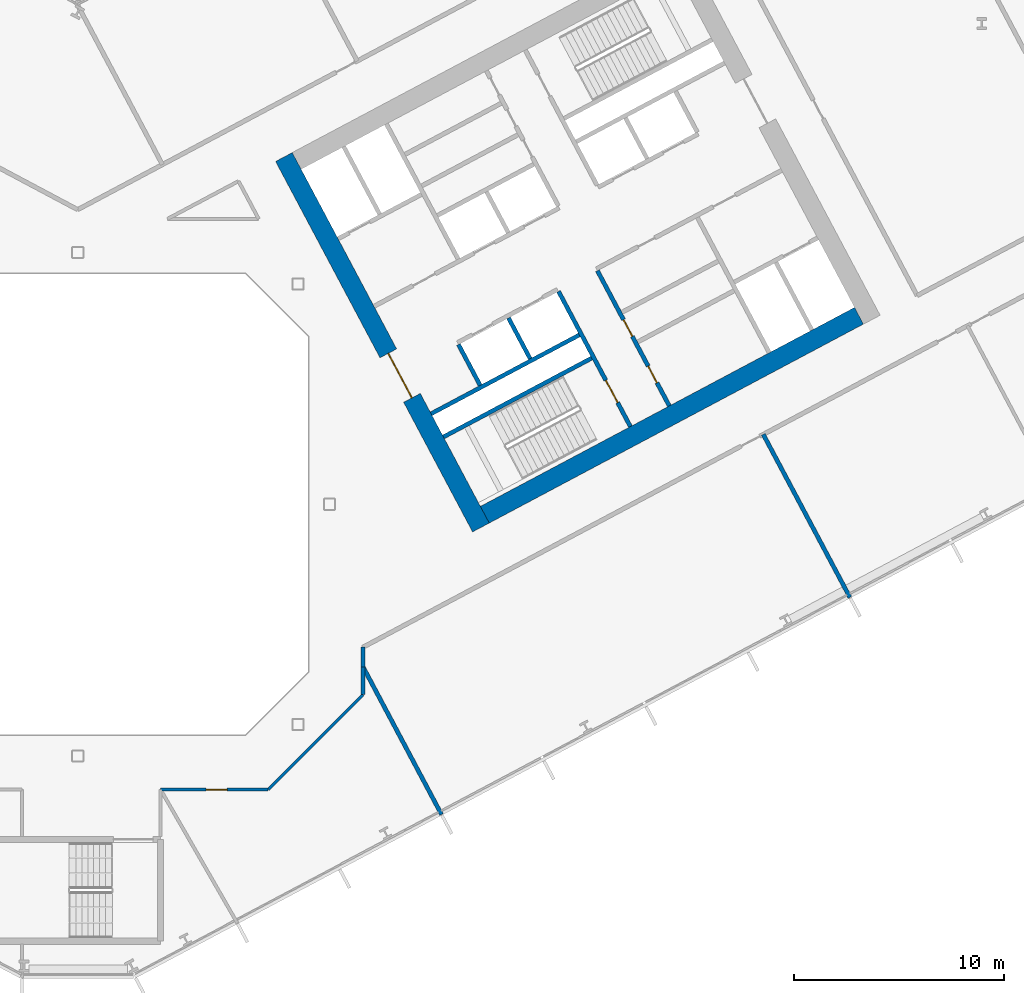
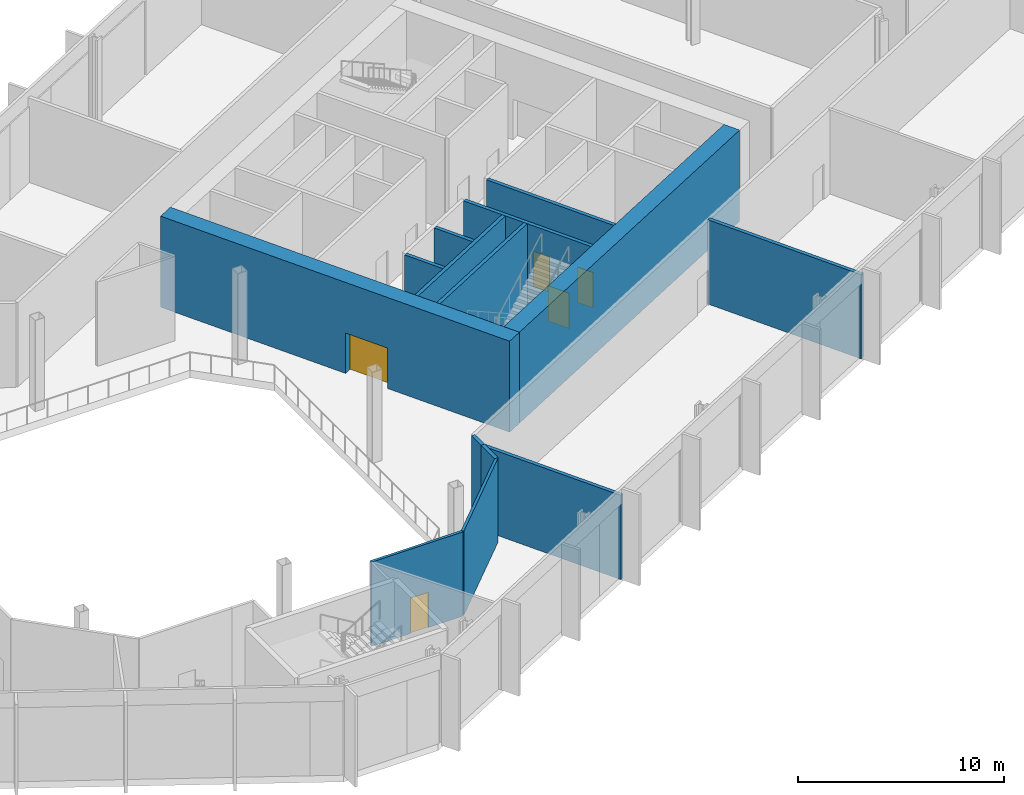
# One storey, part 15 of 32: 14 walls, 5 doors, 5 openings.
"""IFC4 building model written with IfcOpenShell, lengths in metres."""

from ifc_helpers import new_model, si_unit, direction, frame, frame_2d, origin, place, context, subcontext, project, spatial, rectangle, extrude, material, layer, layer_set, type_object, element, fill, save


model = new_model("IFC4")

# Units and contexts
model_context = context("Model", 3, precision=1e-05, world=origin(), true_north=direction((0.0, 1.0)))
body_context = subcontext(model_context, "Body", "Model", "MODEL_VIEW")
ifc_project = project(units=[si_unit("LENGTHUNIT", "METRE"), si_unit("AREAUNIT", "SQUARE_METRE"), si_unit("VOLUMEUNIT", "CUBIC_METRE"), si_unit("PLANEANGLEUNIT", "RADIAN"), si_unit("MASSUNIT", "GRAM", prefix="KILO")], contexts=[model_context])

# Site, building, storey
site_placement = place(None, origin())
site = spatial("IfcSite", under=ifc_project, at=site_placement, CompositionType="ELEMENT")
building_placement = place(site_placement, origin())
building = spatial("IfcBuilding", under=site, at=building_placement, Name="Cormorant Relay Tower", CompositionType="ELEMENT")
storey_placement = place(building_placement, frame((0.0, 0.0, 60.800048828125)))
storey = spatial("IfcBuildingStorey", under=building, at=storey_placement, Name="L11", CompositionType="ELEMENT", Elevation=60.800048828125)

# Walls
ifc_material_1 = material(Name="Concrete 40 MPa", Category="concrete")
ifc_layer_1 = layer(ifc_material_1, 0.199951171875)
ifc_layer_set_1 = layer_set([ifc_layer_1], Name="Core internal wall 200")
wall_type_1 = type_object("IfcWallType", Name="Core internal wall 200", PredefinedType="SOLIDWALL", material=ifc_layer_set_1)
wall_1_placement = place(storey_placement, frame((21.567626953125, 6.9375, 0.0), z_axis=(0.0, 0.0, 1.0), x_axis=(-0.469533832133, 0.882914480843, 0.0)))
element("IfcWall", 1, at=wall_1_placement, inside=storey, type_object=wall_type_1, Name="L11 core B shaft and room wall", PredefinedType="SOLIDWALL", context=body_context, shape_type="SweptSolid", body=[
    extrude(rectangle(XDim=2.199951171875, YDim=0.199951171875, at=frame_2d((1.10009765625, 0.0))), origin(), (0.0, 0.0, 1.0), 5.39990234375),
])
ifc_material_2 = material(Name="Concrete 50 MPa", Category="concrete")
ifc_layer_2 = layer(ifc_material_2, 0.199951171875)
ifc_layer_set_2 = layer_set([ifc_layer_2], Name="Core shaft wall 200")
wall_type_2 = type_object("IfcWallType", Name="Core shaft wall 200", PredefinedType="SHEAR", material=ifc_layer_set_2)
wall_2_placement = place(storey_placement, frame((19.18359375, 5.669921875, 0.0), z_axis=(0.0, 0.0, 1.0), x_axis=(-0.4694473164, 0.882960484464, 0.0)))
element("IfcWall", 2, at=wall_2_placement, inside=storey, type_object=wall_type_2, Name="L11 core B shaft wall", PredefinedType="SHEAR", context=body_context, shape_type="SweptSolid", body=[
    extrude(rectangle(XDim=2.199951171875, YDim=0.199951171875, at=frame_2d((1.10009765625, 0.0))), origin(), (0.0, 0.0, 1.0), 5.39990234375),
])

# Wall, opening, door
wall_3_placement = place(storey_placement, frame((26.345947265625, 3.701904296875, 0.0), z_axis=(0.0, 0.0, 1.0), x_axis=(-0.469480409012, 0.88294288918, 0.0)))
wall_3 = element("IfcWall", 3, at=wall_3_placement, inside=storey, type_object=wall_type_2, Name="L11 core B shaft wall", PredefinedType="SHEAR", context=body_context, shape_type="SweptSolid", body=[
    extrude(rectangle(XDim=7.300048828125, YDim=0.199951171875, at=frame_2d((3.64990234375, 0.0))), origin(), (0.0, 0.0, 1.0), 5.39990234375),
])
opening_1_placement = place(wall_3_placement, frame((1.300048828125, 0.0, 0.0)))
opening_1 = element("IfcOpeningElement", 4, at=opening_1_placement, cuts=wall_3, Name="Opening CDB-021", PredefinedType="OPENING", context=body_context, shape_type="SweptSolid", body=[
    extrude(rectangle(XDim=1.199951171875, YDim=2.10009765625, at=frame_2d((0.60009765625, 1.050048828125))), frame((0.0, 0.10986328125, 0.0), z_axis=(0.0, -1.0, 0.0), x_axis=(1.0, 0.0, 0.0)), (0.0, 0.0, 1.0), 0.219970703125),
])
ifc_material_3 = material(Name="Steel fire door", Category="steel")
door_type_1 = type_object("IfcDoorType", Name="Core stair door 1200x2100", OperationType="SINGLE_SWING_LEFT", PredefinedType="DOOR", material=ifc_material_3)
door_1_placement = place(opening_1_placement, origin())
door_1 = element("IfcDoor", 5, at=door_1_placement, inside=storey, type_object=door_type_1, Name="Core stair door 1200x2100", OperationType="SINGLE_SWING_RIGHT", OverallHeight=2.10009765625, OverallWidth=1.199951171875, PredefinedType="DOOR", context=body_context, shape_type="SweptSolid", body=[
    extrude(rectangle(XDim=1.199951171875, YDim=2.10009765625, at=frame_2d((0.60009765625, 1.050048828125))), frame((0.0, 0.02490234375, 0.0), z_axis=(0.0, -1.0, 0.0), x_axis=(1.0, 0.0, 0.0)), (0.0, 0.0, 1.0), 0.050048828125),
])
fill(opening_1, door_1)

# Wall, openings, doors
wall_4_placement = place(storey_placement, frame((28.199951171875, 4.687744140625, 0.0), z_axis=(0.0, 0.0, 1.0), x_axis=(-0.469454336211, 0.882956752176, 0.0)))
wall_4 = element("IfcWall", 6, at=wall_4_placement, inside=storey, type_object=wall_type_2, Name="L11 core B shaft wall", PredefinedType="SHEAR", context=body_context, shape_type="SweptSolid", body=[
    extrude(rectangle(XDim=7.300048828125, YDim=0.199951171875, at=frame_2d((3.64990234375, 0.0))), origin(), (0.0, 0.0, 1.0), 5.39990234375),
])
opening_2_placement = place(wall_4_placement, frame((1.25, 0.0, 0.0)))
opening_2 = element("IfcOpeningElement", 7, at=opening_2_placement, cuts=wall_4, Name="Opening CDD-107", PredefinedType="OPENING", context=body_context, shape_type="SweptSolid", body=[
    extrude(rectangle(XDim=0.89990234375, YDim=2.10009765625, at=frame_2d((0.449951171875, 1.050048828125))), frame((0.0, 0.10986328125, 0.0), z_axis=(0.0, -1.0, 0.0), x_axis=(1.0, 0.0, 0.0)), (0.0, 0.0, 1.0), 0.219970703125),
])
opening_3_placement = place(wall_4_placement, frame((3.75, 0.0, 0.0)))
opening_3 = element("IfcOpeningElement", 8, at=opening_3_placement, cuts=wall_4, Name="Opening CDD-094", PredefinedType="OPENING", context=body_context, shape_type="SweptSolid", body=[
    extrude(rectangle(XDim=0.89990234375, YDim=2.10009765625, at=frame_2d((0.449951171875, 1.050048828125))), frame((0.0, 0.10986328125, 0.0), z_axis=(0.0, -1.0, 0.0), x_axis=(1.0, 0.0, 0.0)), (0.0, 0.0, 1.0), 0.219970703125),
])
ifc_material_4 = material(Name="Steel fire door", Category="steel")
door_type_2 = type_object("IfcDoorType", Name="Core room door 900x2100", OperationType="SINGLE_SWING_LEFT", PredefinedType="DOOR", material=ifc_material_4)
door_2_placement = place(opening_2_placement, frame((0.89990234375, 0.0, 0.0), z_axis=(0.0, 0.0, 1.0), x_axis=(-1.0, 0.0, 0.0)))
door_2 = element("IfcDoor", 9, at=door_2_placement, inside=storey, type_object=door_type_2, Name="Core room door 900x2100", OperationType="SINGLE_SWING_LEFT", OverallHeight=2.10009765625, OverallWidth=0.89990234375, PredefinedType="DOOR", context=body_context, shape_type="SweptSolid", body=[
    extrude(rectangle(XDim=0.89990234375, YDim=2.10009765625, at=frame_2d((0.449951171875, 1.050048828125))), frame((0.0, 0.02490234375, 0.0), z_axis=(0.0, -1.0, 0.0), x_axis=(1.0, 0.0, 0.0)), (0.0, 0.0, 1.0), 0.050048828125),
])
fill(opening_2, door_2)
door_3_placement = place(opening_3_placement, frame((0.89990234375, 0.0, 0.0), z_axis=(0.0, 0.0, 1.0), x_axis=(-1.0, 0.0, 0.0)))
door_3 = element("IfcDoor", 10, at=door_3_placement, inside=storey, type_object=door_type_2, Name="Core room door 900x2100", OperationType="SINGLE_SWING_LEFT", OverallHeight=2.10009765625, OverallWidth=0.89990234375, PredefinedType="DOOR", context=body_context, shape_type="SweptSolid", body=[
    extrude(rectangle(XDim=0.89990234375, YDim=2.10009765625, at=frame_2d((0.449951171875, 1.050048828125))), frame((0.0, 0.02490234375, 0.0), z_axis=(0.0, -1.0, 0.0), x_axis=(1.0, 0.0, 0.0)), (0.0, 0.0, 1.0), 0.050048828125),
])
fill(opening_3, door_3)

# Walls
for number, where, z_axis, x_axis, name in (
    (11, (17.43359375, 3.210205078125, 0.0), (0.0, 0.0, 1.0), (0.882940221191, 0.469485426614, 0.0), "L11 core B shaft wall"),
    (12, (16.8466796875, 4.31396484375, 0.0), (0.0, 0.0, 1.0), (0.882940221191, 0.469485426614, 0.0), "L11 core B shaft wall"),
):
    element("IfcWall", number, at=place(storey_placement, frame(where, z_axis=z_axis, x_axis=x_axis)), inside=storey, type_object=wall_type_2, Name=name, PredefinedType="SHEAR", context=body_context, shape_type="SweptSolid", body=[
        extrude(rectangle(XDim=8.0, YDim=0.199951171875, at=frame_2d((4.0, 0.0))), origin(), (0.0, 0.0, 1.0), 5.39990234375),
    ])

# Wall, opening, door
ifc_material_5 = material(Name="Concrete 70 MPa", Category="concrete")
ifc_layer_3 = layer(ifc_material_5, 0.89990234375)
ifc_layer_set_3 = layer_set([ifc_layer_3], Name="Core wall 900")
wall_type_3 = type_object("IfcWallType", Name="Core wall 900", PredefinedType="SHEAR", material=ifc_layer_set_3)
wall_5_placement = place(storey_placement, frame((19.21923828125, -1.106689453125, 0.0), z_axis=(0.0, 0.0, 1.0), x_axis=(-0.46947084998, 0.882947971864, 0.0)))
wall_5 = element("IfcWall", 13, at=wall_5_placement, inside=storey, type_object=wall_type_3, Name="L11 core B wall", PredefinedType="SHEAR", context=body_context, shape_type="SweptSolid", body=[
    extrude(rectangle(XDim=20.0, YDim=0.89990234375, at=frame_2d((10.0, 0.0))), origin(), (0.0, 0.0, 1.0), 5.39990234375),
])
opening_4_placement = place(wall_5_placement, frame((7.0, 0.0, 0.0)))
opening_4 = element("IfcOpeningElement", 14, at=opening_4_placement, cuts=wall_5, Name="Opening CDA-015", PredefinedType="OPENING", context=body_context, shape_type="SweptSolid", body=[
    extrude(rectangle(XDim=2.39990234375, YDim=2.39990234375, at=frame_2d((1.199951171875, 1.199951171875))), frame((0.0, 0.4599609375, 0.0), z_axis=(0.0, -1.0, 0.0), x_axis=(1.0, 0.0, 0.0)), (0.0, 0.0, 1.0), 0.919921875),
])
ifc_material_6 = material(Name="Steel fire door", Category="steel")
door_type_3 = type_object("IfcDoorType", Name="Core lobby door 2400x2400", OperationType="DOUBLE_DOOR_SINGLE_SWING", PredefinedType="DOOR", material=ifc_material_6)
door_4_placement = place(opening_4_placement, frame((2.39990234375, 0.0, 0.0), z_axis=(0.0, 0.0, 1.0), x_axis=(-1.0, 0.0, 0.0)))
door_4 = element("IfcDoor", 15, at=door_4_placement, inside=storey, type_object=door_type_3, Name="Core lobby door 2400x2400", OperationType="DOUBLE_DOOR_SINGLE_SWING", OverallHeight=2.39990234375, OverallWidth=2.39990234375, PredefinedType="DOOR", context=body_context, shape_type="SweptSolid", body=[
    extrude(rectangle(XDim=2.39990234375, YDim=2.39990234375, at=frame_2d((1.199951171875, 1.199951171875))), frame((0.0, 0.02490234375, 0.0), z_axis=(0.0, -1.0, 0.0), x_axis=(1.0, 0.0, 0.0)), (0.0, 0.0, 1.0), 0.050048828125),
])
fill(opening_4, door_4)

# Walls
wall_6_placement = place(storey_placement, frame((19.4052734375, -0.498046875, 0.0), z_axis=(0.0, 0.0, 1.0), x_axis=(0.88294509198, 0.469476266226, 0.0)))
element("IfcWall", 16, at=wall_6_placement, inside=storey, type_object=wall_type_3, Name="L11 core B wall", PredefinedType="SHEAR", context=body_context, shape_type="SweptSolid", body=[
    extrude(rectangle(XDim=20.199951171875, YDim=0.89990234375, at=frame_2d((10.10009765625, 0.0))), origin(), (0.0, 0.0, 1.0), 5.39990234375),
])
ifc_material_7 = material(Name="Fire-rated gypsum board partition")
ifc_layer_4 = layer(ifc_material_7, 0.199951171875)
ifc_layer_set_4 = layer_set([ifc_layer_4], Name="Fire-rated gypsum partition 200")
wall_type_4 = type_object("IfcWallType", Name="Fire-rated gypsum partition 200", PredefinedType="PARTITIONING", material=ifc_layer_set_4)
wall_7_placement = place(storey_placement, frame((13.60009765625, -7.756103515625, 0.0), z_axis=(0.0, 0.0, 1.0), x_axis=(0.0, -1.0, 0.0)))
element("IfcWall", 17, at=wall_7_placement, inside=storey, type_object=wall_type_4, Name="wall/L11/part/32", PredefinedType="PARTITIONING", context=body_context, shape_type="SweptSolid", body=[
    extrude(rectangle(XDim=1.32080078125, YDim=0.199951171875, at=frame_2d((0.660400390625, 0.0))), origin(), (0.0, 0.0, 1.0), 5.0),
])
wall_8_placement = place(storey_placement, frame((13.60009765625, -7.75, 0.0), z_axis=(0.0, 0.0, 1.0), x_axis=(0.469489555723, -0.882938025609, 0.0)))
element("IfcWall", 18, at=wall_8_placement, inside=storey, type_object=wall_type_4, Name="wall/L11/part/37", PredefinedType="PARTITIONING", context=body_context, shape_type="SweptSolid", body=[
    extrude(rectangle(XDim=7.972412109375, YDim=0.199951171875, at=frame_2d((3.986328125, 0.0))), origin(), (0.0, 0.0, 1.0), 5.0),
])
wall_9_placement = place(storey_placement, frame((13.60009765625, -6.81298828125, 0.0), z_axis=(0.0, 0.0, 1.0), x_axis=(0.0, -1.0, 0.0)))
element("IfcWall", 19, at=wall_9_placement, inside=storey, type_object=wall_type_4, Name="wall/L11/part/39", PredefinedType="PARTITIONING", context=body_context, shape_type="SweptSolid", body=[
    extrude(rectangle(XDim=0.943115234375, YDim=0.199951171875, at=frame_2d((0.4716796875, 0.0))), origin(), (0.0, 0.0, 1.0), 5.0),
])
wall_10_placement = place(storey_placement, frame((36.80908203125, -4.43896484375, 0.0), z_axis=(0.0, 0.0, 1.0), x_axis=(-0.469445946219, 0.882961212952, 0.0)))
element("IfcWall", 20, at=wall_10_placement, inside=storey, type_object=wall_type_4, Name="wall/L11/part/42", PredefinedType="PARTITIONING", context=body_context, shape_type="SweptSolid", body=[
    extrude(rectangle(XDim=8.800048828125, YDim=0.199951171875, at=frame_2d((4.39990234375, 0.0))), origin(), (0.0, 0.0, 1.0), 5.0),
])
ifc_material_8 = material(Name="Gypsum board partition")
ifc_layer_5 = layer(ifc_material_8, 0.14990234375)
ifc_layer_set_5 = layer_set([ifc_layer_5], Name="Gypsum board partition 150")
wall_type_5 = type_object("IfcWallType", Name="Gypsum board partition 150", PredefinedType="PARTITIONING", material=ifc_layer_set_5)
wall_11_placement = place(storey_placement, frame((13.60009765625, -9.076904296875, 0.0), z_axis=(0.0, 0.0, 1.0), x_axis=(-0.707106781187, -0.707106781187, 0.0)))
element("IfcWall", 21, at=wall_11_placement, inside=storey, type_object=wall_type_5, Name="wall/L11/part/33", PredefinedType="PARTITIONING", context=body_context, shape_type="SweptSolid", body=[
    extrude(rectangle(XDim=6.396728515625, YDim=0.14990234375, at=frame_2d((3.1982421875, 0.0))), origin(), (0.0, 0.0, 1.0), 5.0),
])

# Wall, opening, door
wall_12_placement = place(storey_placement, frame((9.076904296875, -13.60009765625, 0.0), z_axis=(0.0, 0.0, 1.0), x_axis=(-1.0, 0.0, 0.0)))
wall_12 = element("IfcWall", 22, at=wall_12_placement, inside=storey, type_object=wall_type_5, Name="wall/L11/part/34", PredefinedType="PARTITIONING", context=body_context, shape_type="SweptSolid", body=[
    extrude(rectangle(XDim=5.126953125, YDim=0.14990234375, at=frame_2d((2.5634765625, 0.0))), origin(), (0.0, 0.0, 1.0), 5.0),
])
opening_5_placement = place(wall_12_placement, frame((1.949951171875, 0.0, 0.0)))
opening_5 = element("IfcOpeningElement", 23, at=opening_5_placement, cuts=wall_12, Name="Opening D1-023", PredefinedType="OPENING", context=body_context, shape_type="SweptSolid", body=[
    extrude(rectangle(XDim=1.0, YDim=2.10009765625, at=frame_2d((0.5, 1.050048828125))), frame((0.0, 0.0849609375, 0.0), z_axis=(0.0, -1.0, 0.0), x_axis=(1.0, 0.0, 0.0)), (0.0, 0.0, 1.0), 0.169921875),
])
ifc_material_9 = material(Name="Painted steel door", Category="steel")
door_type_4 = type_object("IfcDoorType", Name="Single door 1000 x 2100", OperationType="SINGLE_SWING_LEFT", PredefinedType="DOOR", material=ifc_material_9)
door_5_placement = place(opening_5_placement, origin())
door_5 = element("IfcDoor", 24, at=door_5_placement, inside=storey, type_object=door_type_4, Name="door/L11/12", OperationType="SINGLE_SWING_RIGHT", OverallHeight=2.10009765625, OverallWidth=1.0, PredefinedType="DOOR", context=body_context, shape_type="SweptSolid", body=[
    extrude(rectangle(XDim=1.0, YDim=2.10009765625, at=frame_2d((0.5, 1.050048828125))), frame((0.0, 0.02490234375, 0.0), z_axis=(0.0, -1.0, 0.0), x_axis=(1.0, 0.0, 0.0)), (0.0, 0.0, 1.0), 0.050048828125),
])
fill(opening_5, door_5)

save(model, "model.ifc")
